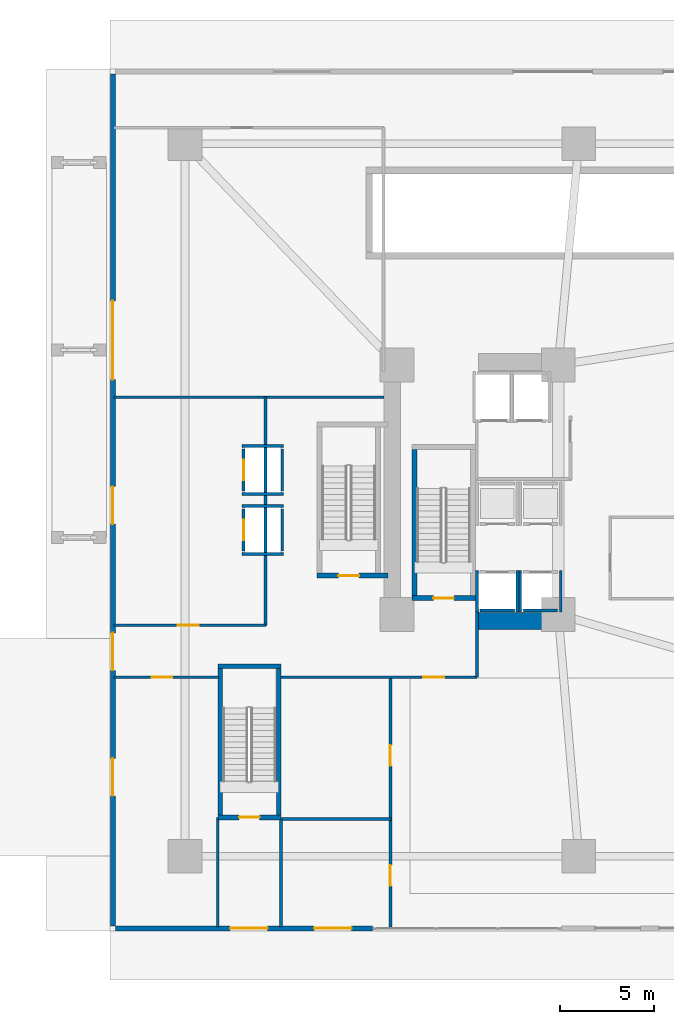
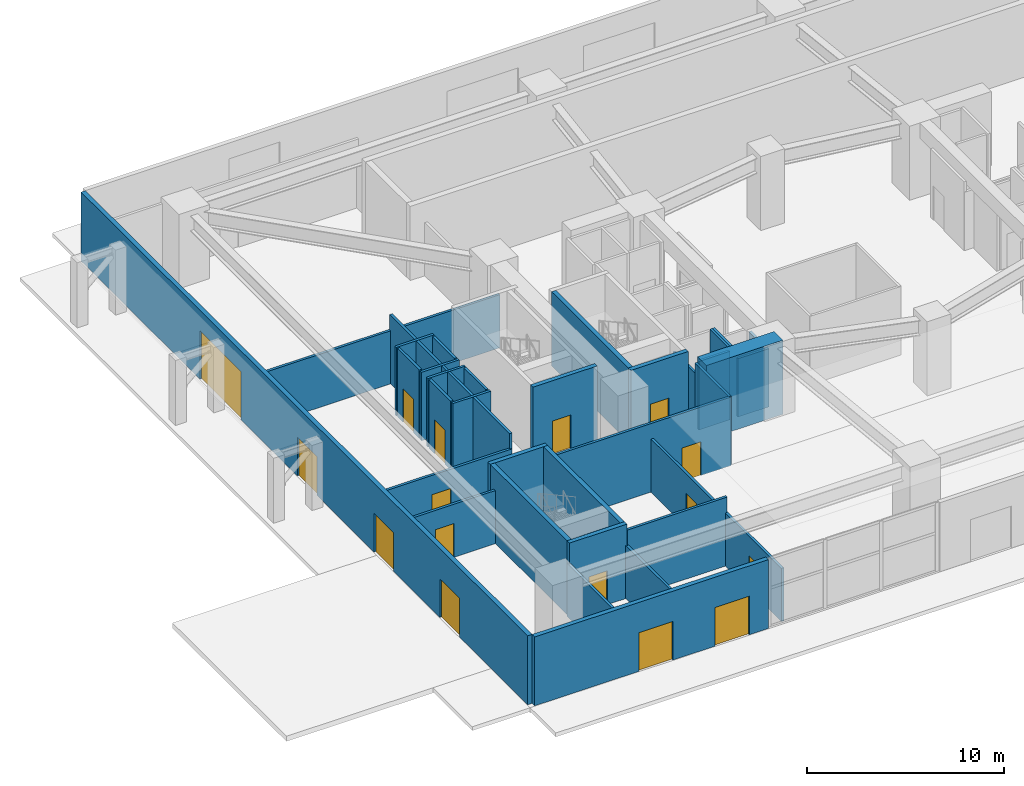
# One storey, part 9 of 18: 34 walls, 16 doors, 16 openings.
"""IFC4 building model written with IfcOpenShell, lengths in metres."""

from ifc_helpers import new_model, si_unit, direction, frame, frame_2d, origin, place, context, subcontext, project, spatial, rectangle, extrude, material, layer, layer_set, type_object, element, fill, save


model = new_model("IFC4")

# Units and contexts
model_context = context("Model", 3, precision=1e-05, world=origin(), true_north=direction((0.0, 1.0)))
body_context = subcontext(model_context, "Body", "Model", "MODEL_VIEW")
ifc_project = project(units=[si_unit("LENGTHUNIT", "METRE"), si_unit("AREAUNIT", "SQUARE_METRE"), si_unit("VOLUMEUNIT", "CUBIC_METRE"), si_unit("PLANEANGLEUNIT", "RADIAN"), si_unit("MASSUNIT", "GRAM", prefix="KILO")], contexts=[model_context])

# Site, building, storey
site_placement = place(None, origin())
site = spatial("IfcSite", under=ifc_project, at=site_placement, CompositionType="ELEMENT")
building_placement = place(site_placement, origin())
building = spatial("IfcBuilding", under=site, at=building_placement, Name="Solvane Sanctuary Tower", CompositionType="ELEMENT")
storey_placement = place(building_placement, origin())
storey = spatial("IfcBuildingStorey", under=building, at=storey_placement, Name="L01", CompositionType="ELEMENT", Elevation=0.0)

# Walls
ifc_material_1 = material(Name="Concrete C70/85", Category="concrete")
ifc_layer_1 = layer(ifc_material_1, 0.89990234375, Name="Concrete C70/85")
ifc_layer_set_1 = layer_set([ifc_layer_1], Name="Concrete C70/85")
wall_type_1 = type_object("IfcWallType", Name="Wall W-CORE-900", PredefinedType="SHEAR", material=ifc_layer_set_1)
wall_1_placement = place(storey_placement, frame((19.64990234375, 16.550048828125, 0.0), z_axis=(0.0, 0.0, 1.0), x_axis=(1.0, 0.0, 0.0)))
element("IfcWall", 1, at=wall_1_placement, inside=storey, type_object=wall_type_1, Name="L01 Core Shear Wall WC-S", PredefinedType="SHEAR", context=body_context, shape_type="SweptSolid", body=[
    extrude(rectangle(XDim=4.5, YDim=0.89990234375, at=frame_2d((2.25, 0.0))), origin(), (0.0, 0.0, 1.0), 4.60009765625),
])
ifc_material_2 = material(Name="Acoustic Gypsum Partition Board")
ifc_layer_2 = layer(ifc_material_2, 0.14990234375, Name="Acoustic Gypsum Partition Board")
ifc_layer_set_2 = layer_set([ifc_layer_2], Name="Acoustic Gypsum Partition Board")
wall_type_2 = type_object("IfcWallType", Name="Wall W-CORR-150", PredefinedType="PARTITIONING", material=ifc_layer_set_2)
wall_2_placement = place(storey_placement, frame((5.739990234375, 0.219970703125, 0.0), z_axis=(0.0, 0.0, 1.0), x_axis=(0.0, 1.0, 0.0)))
element("IfcWall", 2, at=wall_2_placement, inside=storey, type_object=wall_type_2, Name="L01 ST-4 Vestibule West Wall", PredefinedType="PARTITIONING", context=body_context, shape_type="SweptSolid", body=[
    extrude(rectangle(XDim=5.85009765625, YDim=0.14990234375, at=frame_2d((2.925048828125, 0.0))), origin(), (0.0, 0.0, 1.0), 3.300048828125),
])

# Wall, opening, door
wall_3_placement = place(storey_placement, frame((0.219970703125, 13.550048828125, 0.0), z_axis=(0.0, 0.0, 1.0), x_axis=(1.0, 0.0, 0.0)))
wall_3 = element("IfcWall", 3, at=wall_3_placement, inside=storey, type_object=wall_type_2, Name="L01 South-West Vestibule North Wall", PredefinedType="PARTITIONING", context=body_context, shape_type="SweptSolid", body=[
    extrude(rectangle(XDim=5.580078125, YDim=0.14990234375, at=frame_2d((2.7900390625, 0.0))), origin(), (0.0, 0.0, 1.0), 3.300048828125),
])
opening_1_placement = place(wall_3_placement, frame((2.0, 0.0, 0.0)))
opening_1 = element("IfcOpeningElement", 4, at=opening_1_placement, cuts=wall_3, Name="Opening D-L01-26", PredefinedType="OPENING", context=body_context, shape_type="SweptSolid", body=[
    extrude(rectangle(XDim=1.10009765625, YDim=2.10009765625, at=frame_2d((0.550048828125, 1.050048828125))), frame((0.0, 0.0849609375, 0.0), z_axis=(0.0, -1.0, 0.0), x_axis=(1.0, 0.0, 0.0)), (0.0, 0.0, 1.0), 0.169921875),
])
ifc_material_3 = material(Name="Architectural Stainless Steel 316", Category="steel")
door_type_1 = type_object("IfcDoorType", Name="Door D-FFL", OperationType="NOTDEFINED", PredefinedType="DOOR", material=ifc_material_3)
door_1_placement = place(opening_1_placement, origin())
door_1 = element("IfcDoor", 5, at=door_1_placement, inside=storey, type_object=door_type_1, Name="L01 Cloakroom Vestibule Fire Door", OperationType="SINGLE_SWING_LEFT", OverallHeight=2.10009765625, OverallWidth=1.10009765625, PredefinedType="DOOR", context=body_context, shape_type="SweptSolid", body=[
    extrude(rectangle(XDim=1.10009765625, YDim=2.10009765625, at=frame_2d((0.550048828125, 1.050048828125))), frame((0.0, 0.02490234375, 0.0), z_axis=(0.0, -1.0, 0.0), x_axis=(1.0, 0.0, 0.0)), (0.0, 0.0, 1.0), 0.050048828125),
])
fill(opening_1, door_1)

# Walls
wall_4_placement = place(storey_placement, frame((9.1201171875, 5.97998046875, 0.0), z_axis=(0.0, 0.0, 1.0), x_axis=(1.0, 0.0, 0.0)))
element("IfcWall", 6, at=wall_4_placement, inside=storey, type_object=wall_type_2, Name="L01 Fire Command North Wall", PredefinedType="PARTITIONING", context=body_context, shape_type="SweptSolid", body=[
    extrude(rectangle(XDim=5.85986328125, YDim=0.14990234375, at=frame_2d((2.929931640625, 0.0))), origin(), (0.0, 0.0, 1.0), 4.2548828125),
])
wall_5_placement = place(storey_placement, frame((9.1201171875, 0.219970703125, 0.0), z_axis=(0.0, 0.0, 1.0), x_axis=(0.0, 1.0, 0.0)))
element("IfcWall", 7, at=wall_5_placement, inside=storey, type_object=wall_type_2, Name="L01 ST-4 Vestibule East Wall", PredefinedType="PARTITIONING", context=body_context, shape_type="SweptSolid", body=[
    extrude(rectangle(XDim=5.739990234375, YDim=0.14990234375, at=frame_2d((2.8701171875, 0.0))), origin(), (0.0, 0.0, 1.0), 3.300048828125),
])

# Wall, openings, doors
wall_6_placement = place(storey_placement, frame((14.949951171875, 0.219970703125, 0.0), z_axis=(0.0, 0.0, 1.0), x_axis=(0.0, 1.0, 0.0)))
wall_6 = element("IfcWall", 8, at=wall_6_placement, inside=storey, type_object=wall_type_2, Name="L01 Arrival West Wall", PredefinedType="PARTITIONING", context=body_context, shape_type="SweptSolid", body=[
    extrude(rectangle(XDim=13.360107421875, YDim=0.14990234375, at=frame_2d((6.68017578125, 0.0))), origin(), (0.0, 0.0, 1.0), 3.300048828125),
])
opening_2_placement = place(wall_6_placement, frame((2.199951171875, 0.0, 0.0)))
opening_2 = element("IfcOpeningElement", 9, at=opening_2_placement, cuts=wall_6, Name="Opening D-L01-27", PredefinedType="OPENING", context=body_context, shape_type="SweptSolid", body=[
    extrude(rectangle(XDim=1.10009765625, YDim=2.10009765625, at=frame_2d((0.550048828125, 1.050048828125))), frame((0.0, 0.0849609375, 0.0), z_axis=(0.0, -1.0, 0.0), x_axis=(1.0, 0.0, 0.0)), (0.0, 0.0, 1.0), 0.169921875),
])
opening_3_placement = place(wall_6_placement, frame((8.60009765625, 0.0, 0.0)))
opening_3 = element("IfcOpeningElement", 10, at=opening_3_placement, cuts=wall_6, Name="Opening D-L01-28", PredefinedType="OPENING", context=body_context, shape_type="SweptSolid", body=[
    extrude(rectangle(XDim=1.10009765625, YDim=2.10009765625, at=frame_2d((0.550048828125, 1.050048828125))), frame((0.0, 0.0849609375, 0.0), z_axis=(0.0, -1.0, 0.0), x_axis=(1.0, 0.0, 0.0)), (0.0, 0.0, 1.0), 0.169921875),
])
door_2_placement = place(opening_2_placement, origin())
door_2 = element("IfcDoor", 11, at=door_2_placement, inside=storey, type_object=door_type_1, Name="L01 Fire Command Interior Door", OperationType="SINGLE_SWING_RIGHT", OverallHeight=2.10009765625, OverallWidth=1.10009765625, PredefinedType="DOOR", context=body_context, shape_type="SweptSolid", body=[
    extrude(rectangle(XDim=1.10009765625, YDim=2.10009765625, at=frame_2d((0.550048828125, 1.050048828125))), frame((0.0, 0.02490234375, 0.0), z_axis=(0.0, -1.0, 0.0), x_axis=(1.0, 0.0, 0.0)), (0.0, 0.0, 1.0), 0.050048828125),
])
fill(opening_2, door_2)
door_3_placement = place(opening_3_placement, origin())
door_3 = element("IfcDoor", 12, at=door_3_placement, inside=storey, type_object=door_type_1, Name="L01 Reception Office Door", OperationType="SINGLE_SWING_LEFT", OverallHeight=2.10009765625, OverallWidth=1.10009765625, PredefinedType="DOOR", context=body_context, shape_type="SweptSolid", body=[
    extrude(rectangle(XDim=1.10009765625, YDim=2.10009765625, at=frame_2d((0.550048828125, 1.050048828125))), frame((0.0, 0.02490234375, 0.0), z_axis=(0.0, -1.0, 0.0), x_axis=(1.0, 0.0, 0.0)), (0.0, 0.0, 1.0), 0.050048828125),
])
fill(opening_3, door_3)

# Wall, opening, door
wall_7_placement = place(storey_placement, frame((9.110107421875, 13.550048828125, 0.0), z_axis=(0.0, 0.0, 1.0), x_axis=(1.0, 0.0, 0.0)))
wall_7 = element("IfcWall", 13, at=wall_7_placement, inside=storey, type_object=wall_type_2, Name="L01 West Exit Passage South Wall", PredefinedType="PARTITIONING", context=body_context, shape_type="SweptSolid", body=[
    extrude(rectangle(XDim=10.4599609375, YDim=0.14990234375, at=frame_2d((5.22998046875, 0.0))), origin(), (0.0, 0.0, 1.0), 4.2548828125),
])
opening_4_placement = place(wall_7_placement, frame((7.60009765625, 0.0, 0.0)))
opening_4 = element("IfcOpeningElement", 14, at=opening_4_placement, cuts=wall_7, Name="Opening D-L01-29", PredefinedType="OPENING", context=body_context, shape_type="SweptSolid", body=[
    extrude(rectangle(XDim=1.10009765625, YDim=2.10009765625, at=frame_2d((0.550048828125, 1.050048828125))), frame((0.0, 0.0849609375, 0.0), z_axis=(0.0, -1.0, 0.0), x_axis=(1.0, 0.0, 0.0)), (0.0, 0.0, 1.0), 0.169921875),
])
door_4_placement = place(opening_4_placement, origin())
door_4 = element("IfcDoor", 15, at=door_4_placement, inside=storey, type_object=door_type_1, Name="L01 West Exit Passage Fire Door", OperationType="SINGLE_SWING_RIGHT", OverallHeight=2.10009765625, OverallWidth=1.10009765625, PredefinedType="DOOR", context=body_context, shape_type="SweptSolid", body=[
    extrude(rectangle(XDim=1.10009765625, YDim=2.10009765625, at=frame_2d((0.550048828125, 1.050048828125))), frame((0.0, 0.02490234375, 0.0), z_axis=(0.0, -1.0, 0.0), x_axis=(1.0, 0.0, 0.0)), (0.0, 0.0, 1.0), 0.050048828125),
])
fill(opening_4, door_4)

# Wall
wall_8_placement = place(storey_placement, frame((19.570068359375, 13.550048828125, 0.0), z_axis=(0.0, 0.0, 1.0), x_axis=(0.0, 1.0, 0.0)))
element("IfcWall", 16, at=wall_8_placement, inside=storey, type_object=wall_type_2, Name="L01 West Exit Passage East Wall", PredefinedType="PARTITIONING", context=body_context, shape_type="SweptSolid", body=[
    extrude(rectangle(XDim=3.469970703125, YDim=0.14990234375, at=frame_2d((1.73486328125, 0.0))), origin(), (0.0, 0.0, 1.0), 4.2548828125),
])

# Wall, opening, door
wall_9_placement = place(storey_placement, frame((0.219970703125, 16.320068359375, 0.0), z_axis=(0.0, 0.0, 1.0), x_axis=(1.0, 0.0, 0.0)))
wall_9 = element("IfcWall", 17, at=wall_9_placement, inside=storey, type_object=wall_type_2, Name="L01 Left-Luggage South Wall", PredefinedType="PARTITIONING", context=body_context, shape_type="SweptSolid", body=[
    extrude(rectangle(XDim=8.10009765625, YDim=0.14990234375, at=frame_2d((4.050048828125, 0.0))), origin(), (0.0, 0.0, 1.0), 3.300048828125),
])
opening_5_placement = place(wall_9_placement, frame((3.39990234375, 0.0, 0.0)))
opening_5 = element("IfcOpeningElement", 18, at=opening_5_placement, cuts=wall_9, Name="Opening D-L01-30", PredefinedType="OPENING", context=body_context, shape_type="SweptSolid", body=[
    extrude(rectangle(XDim=1.10009765625, YDim=2.10009765625, at=frame_2d((0.550048828125, 1.050048828125))), frame((0.0, 0.0849609375, 0.0), z_axis=(0.0, -1.0, 0.0), x_axis=(1.0, 0.0, 0.0)), (0.0, 0.0, 1.0), 0.169921875),
])
door_5_placement = place(opening_5_placement, origin())
door_5 = element("IfcDoor", 19, at=door_5_placement, inside=storey, type_object=door_type_1, Name="L01 Left-Luggage Cloister Door", OperationType="SINGLE_SWING_LEFT", OverallHeight=2.10009765625, OverallWidth=1.10009765625, PredefinedType="DOOR", context=body_context, shape_type="SweptSolid", body=[
    extrude(rectangle(XDim=1.10009765625, YDim=2.10009765625, at=frame_2d((0.550048828125, 1.050048828125))), frame((0.0, 0.02490234375, 0.0), z_axis=(0.0, -1.0, 0.0), x_axis=(1.0, 0.0, 0.0)), (0.0, 0.0, 1.0), 0.050048828125),
])
fill(opening_5, door_5)

# Walls
wall_10_placement = place(storey_placement, frame((0.219970703125, 28.47998046875, 0.0), z_axis=(0.0, 0.0, 1.0), x_axis=(1.0, 0.0, 0.0)))
element("IfcWall", 20, at=wall_10_placement, inside=storey, type_object=wall_type_2, Name="L01 Left-Luggage North Wall", PredefinedType="PARTITIONING", context=body_context, shape_type="SweptSolid", body=[
    extrude(rectangle(XDim=14.400146484375, YDim=0.14990234375, at=frame_2d((7.2001953125, 0.0))), origin(), (0.0, 0.0, 1.0), 3.300048828125),
])
wall_11_placement = place(storey_placement, frame((8.280029296875, 16.300048828125, 0.0), z_axis=(0.0, 0.0, 1.0), x_axis=(0.0, 1.0, 0.0)))
element("IfcWall", 21, at=wall_11_placement, inside=storey, type_object=wall_type_2, Name="L01 Left-Luggage East Wall", PredefinedType="PARTITIONING", context=body_context, shape_type="SweptSolid", body=[
    extrude(rectangle(XDim=12.199951171875, YDim=0.14990234375, at=frame_2d((6.10009765625, 0.0))), origin(), (0.0, 0.0, 1.0), 4.2548828125),
])

# Wall, openings, doors
ifc_material_4 = material(Name="Precast concrete C40/50", Category="concrete")
ifc_layer_3 = layer(ifc_material_4, 0.260009765625, Name="Precast concrete C40/50")
ifc_layer_set_3 = layer_set([ifc_layer_3], Name="Precast concrete C40/50")
wall_type_3 = type_object("IfcWallType", Name="Wall W-EXT-250", PredefinedType="STANDARD", material=ifc_layer_set_3)
wall_12_placement = place(storey_placement, frame((0.280029296875, 0.14990234375, 0.0), z_axis=(0.0, 0.0, 1.0), x_axis=(1.0, 0.0, 0.0)))
wall_12 = element("IfcWall", 22, at=wall_12_placement, inside=storey, type_object=wall_type_3, Name="L01 South Podium Facade Wall S1", PredefinedType="STANDARD", context=body_context, shape_type="SweptSolid", body=[
    extrude(rectangle(XDim=13.719970703125, YDim=0.260009765625, at=frame_2d((6.85986328125, 0.0))), origin(), (0.0, 0.0, 1.0), 4.280029296875),
])
opening_6_placement = place(wall_12_placement, frame((6.1201171875, 0.0, 0.0)))
opening_6 = element("IfcOpeningElement", 23, at=opening_6_placement, cuts=wall_12, Name="Opening D-L01-01", PredefinedType="OPENING", context=body_context, shape_type="SweptSolid", body=[
    extrude(rectangle(XDim=2.0, YDim=2.39990234375, at=frame_2d((1.0, 1.199951171875))), frame((0.0, 0.139892578125, 0.0), z_axis=(0.0, -1.0, 0.0), x_axis=(1.0, 0.0, 0.0)), (0.0, 0.0, 1.0), 0.280029296875),
])
opening_7_placement = place(wall_12_placement, frame((10.60009765625, 0.0, 0.0)))
opening_7 = element("IfcOpeningElement", 24, at=opening_7_placement, cuts=wall_12, Name="Opening D-L01-02", PredefinedType="OPENING", context=body_context, shape_type="SweptSolid", body=[
    extrude(rectangle(XDim=2.0, YDim=2.39990234375, at=frame_2d((1.0, 1.199951171875))), frame((0.0, 0.139892578125, 0.0), z_axis=(0.0, -1.0, 0.0), x_axis=(1.0, 0.0, 0.0)), (0.0, 0.0, 1.0), 0.280029296875),
])
ifc_material_5 = material(Name="Anodised Aluminium 6063-T6", Category="aluminium")
door_type_2 = type_object("IfcDoorType", Name="Door D-EXIT-2000", OperationType="NOTDEFINED", PredefinedType="DOOR", material=ifc_material_5)
door_6_placement = place(opening_6_placement, frame((2.0, 0.0, 0.0), z_axis=(0.0, 0.0, 1.0), x_axis=(-1.0, 0.0, 0.0)))
door_6 = element("IfcDoor", 25, at=door_6_placement, inside=storey, type_object=door_type_2, Name="L01 West Stair ST-4 Protected Discharge Exit Door", OperationType="SINGLE_SWING_LEFT", OverallHeight=2.39990234375, OverallWidth=2.0, PredefinedType="DOOR", context=body_context, shape_type="SweptSolid", body=[
    extrude(rectangle(XDim=2.0, YDim=2.39990234375, at=frame_2d((1.0, 1.199951171875))), frame((0.0, 0.02490234375, 0.0), z_axis=(0.0, -1.0, 0.0), x_axis=(1.0, 0.0, 0.0)), (0.0, 0.0, 1.0), 0.050048828125),
])
fill(opening_6, door_6)
door_7_placement = place(opening_7_placement, frame((2.0, 0.0, 0.0), z_axis=(0.0, 0.0, 1.0), x_axis=(-1.0, 0.0, 0.0)))
door_7 = element("IfcDoor", 26, at=door_7_placement, inside=storey, type_object=door_type_2, Name="L01 Fire Command Room Exterior Access Door", OperationType="SINGLE_SWING_RIGHT", OverallHeight=2.39990234375, OverallWidth=2.0, PredefinedType="DOOR", context=body_context, shape_type="SweptSolid", body=[
    extrude(rectangle(XDim=2.0, YDim=2.39990234375, at=frame_2d((1.0, 1.199951171875))), frame((0.0, 0.02490234375, 0.0), z_axis=(0.0, -1.0, 0.0), x_axis=(1.0, 0.0, 0.0)), (0.0, 0.0, 1.0), 0.050048828125),
])
fill(opening_7, door_7)

wall_13_placement = place(storey_placement, frame((0.14990234375, 45.719970703125, 0.0), z_axis=(0.0, 0.0, 1.0), x_axis=(0.0, -1.0, 0.0)))
wall_13 = element("IfcWall", 27, at=wall_13_placement, inside=storey, type_object=wall_type_3, Name="L01 West Podium Facade Wall", PredefinedType="STANDARD", context=body_context, shape_type="SweptSolid", body=[
    extrude(rectangle(XDim=45.43994140625, YDim=0.260009765625, at=frame_2d((22.719970703125, 0.0))), origin(), (0.0, 0.0, 1.0), 4.280029296875),
])
opening_8_placement = place(wall_13_placement, frame((29.800048828125, 0.0, 0.0)))
opening_8 = element("IfcOpeningElement", 28, at=opening_8_placement, cuts=wall_13, Name="Opening D-L01-15", PredefinedType="OPENING", context=body_context, shape_type="SweptSolid", body=[
    extrude(rectangle(XDim=2.0, YDim=2.39990234375, at=frame_2d((1.0, 1.199951171875))), frame((0.0, 0.139892578125, 0.0), z_axis=(0.0, -1.0, 0.0), x_axis=(1.0, 0.0, 0.0)), (0.0, 0.0, 1.0), 0.280029296875),
])
opening_9_placement = place(wall_13_placement, frame((22.0, 0.0, 0.0)))
opening_9 = element("IfcOpeningElement", 29, at=opening_9_placement, cuts=wall_13, Name="Opening D-L01-16", PredefinedType="OPENING", context=body_context, shape_type="SweptSolid", body=[
    extrude(rectangle(XDim=2.0, YDim=2.39990234375, at=frame_2d((1.0, 1.199951171875))), frame((0.0, 0.139892578125, 0.0), z_axis=(0.0, -1.0, 0.0), x_axis=(1.0, 0.0, 0.0)), (0.0, 0.0, 1.0), 0.280029296875),
])
opening_10_placement = place(wall_13_placement, frame((36.5, 0.0, 0.0)))
opening_10 = element("IfcOpeningElement", 30, at=opening_10_placement, cuts=wall_13, Name="Opening D-L01-17", PredefinedType="OPENING", context=body_context, shape_type="SweptSolid", body=[
    extrude(rectangle(XDim=2.0, YDim=2.39990234375, at=frame_2d((1.0, 1.199951171875))), frame((0.0, 0.139892578125, 0.0), z_axis=(0.0, -1.0, 0.0), x_axis=(1.0, 0.0, 0.0)), (0.0, 0.0, 1.0), 0.280029296875),
])
opening_11_placement = place(wall_13_placement, frame((12.10009765625, 0.0, 0.0)))
opening_11 = element("IfcOpeningElement", 31, at=opening_11_placement, cuts=wall_13, Name="Opening D-L01-18", PredefinedType="OPENING", context=body_context, shape_type="SweptSolid", body=[
    extrude(rectangle(XDim=4.199951171875, YDim=3.0, at=frame_2d((2.10009765625, 1.5))), frame((0.0, 0.139892578125, 0.0), z_axis=(0.0, -1.0, 0.0), x_axis=(1.0, 0.0, 0.0)), (0.0, 0.0, 1.0), 0.280029296875),
])
door_8_placement = place(opening_8_placement, frame((2.0, 0.0, 0.0), z_axis=(0.0, 0.0, 1.0), x_axis=(-1.0, 0.0, 0.0)))
door_8 = element("IfcDoor", 32, at=door_8_placement, inside=storey, type_object=door_type_2, Name="L01 West Street Exit Door 1", OperationType="SINGLE_SWING_LEFT", OverallHeight=2.39990234375, OverallWidth=2.0, PredefinedType="DOOR", context=body_context, shape_type="SweptSolid", body=[
    extrude(rectangle(XDim=2.0, YDim=2.39990234375, at=frame_2d((1.0, 1.199951171875))), frame((0.0, 0.02490234375, 0.0), z_axis=(0.0, -1.0, 0.0), x_axis=(1.0, 0.0, 0.0)), (0.0, 0.0, 1.0), 0.050048828125),
])
fill(opening_8, door_8)
door_9_placement = place(opening_9_placement, frame((2.0, 0.0, 0.0), z_axis=(0.0, 0.0, 1.0), x_axis=(-1.0, 0.0, 0.0)))
door_9 = element("IfcDoor", 33, at=door_9_placement, inside=storey, type_object=door_type_2, Name="L01 West Street Exit Door 2", OperationType="SINGLE_SWING_RIGHT", OverallHeight=2.39990234375, OverallWidth=2.0, PredefinedType="DOOR", context=body_context, shape_type="SweptSolid", body=[
    extrude(rectangle(XDim=2.0, YDim=2.39990234375, at=frame_2d((1.0, 1.199951171875))), frame((0.0, 0.02490234375, 0.0), z_axis=(0.0, -1.0, 0.0), x_axis=(1.0, 0.0, 0.0)), (0.0, 0.0, 1.0), 0.050048828125),
])
fill(opening_9, door_9)
door_10_placement = place(opening_10_placement, frame((2.0, 0.0, 0.0), z_axis=(0.0, 0.0, 1.0), x_axis=(-1.0, 0.0, 0.0)))
door_10 = element("IfcDoor", 34, at=door_10_placement, inside=storey, type_object=door_type_2, Name="L01 West Street Exit Door 3", OperationType="SINGLE_SWING_LEFT", OverallHeight=2.39990234375, OverallWidth=2.0, PredefinedType="DOOR", context=body_context, shape_type="SweptSolid", body=[
    extrude(rectangle(XDim=2.0, YDim=2.39990234375, at=frame_2d((1.0, 1.199951171875))), frame((0.0, 0.02490234375, 0.0), z_axis=(0.0, -1.0, 0.0), x_axis=(1.0, 0.0, 0.0)), (0.0, 0.0, 1.0), 0.050048828125),
])
fill(opening_10, door_10)
door_type_3 = type_object("IfcDoorType", Name="Door D-GATE-4200", OperationType="NOTDEFINED", PredefinedType="GATE", material=ifc_material_3)
door_11_placement = place(opening_11_placement, origin())
door_11 = element("IfcDoor", 35, at=door_11_placement, inside=storey, type_object=door_type_3, Name="L01 West Metro Concourse Portal Gate", OperationType="SLIDING_TO_LEFT", OverallHeight=3.0, OverallWidth=4.199951171875, PredefinedType="GATE", context=body_context, shape_type="SweptSolid", body=[
    extrude(rectangle(XDim=4.199951171875, YDim=3.0, at=frame_2d((2.10009765625, 1.5))), frame((0.0, 0.02490234375, 0.0), z_axis=(0.0, -1.0, 0.0), x_axis=(1.0, 0.0, 0.0)), (0.0, 0.0, 1.0), 0.050048828125),
])
fill(opening_11, door_11)

# Walls
ifc_material_6 = material(Name="Concrete C50/60", Category="concrete")
ifc_layer_4 = layer(ifc_material_6, 0.14990234375, Name="Concrete C50/60")
ifc_layer_set_4 = layer_set([ifc_layer_4], Name="Concrete C50/60")
wall_type_4 = type_object("IfcWallType", Name="Wall W-SHAFT-150", PredefinedType="SOLIDWALL", material=ifc_layer_set_4)
wall_14_placement = place(storey_placement, frame((19.739990234375, 17.10009765625, 0.0), z_axis=(0.0, 0.0, 1.0), x_axis=(1.0, 0.0, 0.0)))
element("IfcWall", 36, at=wall_14_placement, inside=storey, type_object=wall_type_4, Name="L01 PL-1 Lift Shaft Wall B", PredefinedType="SOLIDWALL", context=body_context, shape_type="SweptSolid", body=[
    extrude(rectangle(XDim=1.820068359375, YDim=0.14990234375, at=frame_2d((0.91015625, 0.0))), origin(), (0.0, 0.0, 1.0), 4.2548828125),
])
wall_15_placement = place(storey_placement, frame((19.570068359375, 17.02001953125, 0.0), z_axis=(0.0, 0.0, 1.0), x_axis=(0.0, 1.0, 0.0)))
element("IfcWall", 37, at=wall_15_placement, inside=storey, type_object=wall_type_4, Name="L01 PL-1 Lift Shaft Wall S1", PredefinedType="SOLIDWALL", context=body_context, shape_type="SweptSolid", body=[
    extrude(rectangle(XDim=2.219970703125, YDim=0.14990234375, at=frame_2d((1.10986328125, 0.0))), origin(), (0.0, 0.0, 1.0), 3.6201171875),
])
wall_16_placement = place(storey_placement, frame((21.72998046875, 17.02001953125, 0.0), z_axis=(0.0, 0.0, 1.0), x_axis=(0.0, 1.0, 0.0)))
element("IfcWall", 38, at=wall_16_placement, inside=storey, type_object=wall_type_4, Name="L01 PL-1 Lift Shaft Wall S2", PredefinedType="SOLIDWALL", context=body_context, shape_type="SweptSolid", body=[
    extrude(rectangle(XDim=2.219970703125, YDim=0.14990234375, at=frame_2d((1.10986328125, 0.0))), origin(), (0.0, 0.0, 1.0), 4.2548828125),
])
wall_17_placement = place(storey_placement, frame((22.0400390625, 17.10009765625, 0.0), z_axis=(0.0, 0.0, 1.0), x_axis=(1.0, 0.0, 0.0)))
element("IfcWall", 39, at=wall_17_placement, inside=storey, type_object=wall_type_4, Name="L01 PL-2 Lift Shaft Wall B", PredefinedType="SOLIDWALL", context=body_context, shape_type="SweptSolid", body=[
    extrude(rectangle(XDim=1.820068359375, YDim=0.14990234375, at=frame_2d((0.91015625, 0.0))), origin(), (0.0, 0.0, 1.0), 3.6201171875),
])
wall_18_placement = place(storey_placement, frame((21.8701171875, 17.02001953125, 0.0), z_axis=(0.0, 0.0, 1.0), x_axis=(0.0, 1.0, 0.0)))
element("IfcWall", 40, at=wall_18_placement, inside=storey, type_object=wall_type_4, Name="L01 PL-2 Lift Shaft Wall S1", PredefinedType="SOLIDWALL", context=body_context, shape_type="SweptSolid", body=[
    extrude(rectangle(XDim=2.219970703125, YDim=0.14990234375, at=frame_2d((1.10986328125, 0.0))), origin(), (0.0, 0.0, 1.0), 4.2548828125),
])
wall_19_placement = place(storey_placement, frame((24.030029296875, 17.02001953125, 0.0), z_axis=(0.0, 0.0, 1.0), x_axis=(0.0, 1.0, 0.0)))
element("IfcWall", 41, at=wall_19_placement, inside=storey, type_object=wall_type_4, Name="L01 PL-2 Lift Shaft Wall S2", PredefinedType="SOLIDWALL", context=body_context, shape_type="SweptSolid", body=[
    extrude(rectangle(XDim=2.219970703125, YDim=0.14990234375, at=frame_2d((1.10986328125, 0.0))), origin(), (0.0, 0.0, 1.0), 3.300048828125),
])

# Wall, opening, door
wall_20_placement = place(storey_placement, frame((7.1201171875, 20.2900390625, 0.0), z_axis=(0.0, 0.0, 1.0), x_axis=(0.0, 1.0, 0.0)))
wall_20 = element("IfcWall", 42, at=wall_20_placement, inside=storey, type_object=wall_type_4, Name="L01 ML-1 Lift Shaft Wall F", PredefinedType="SOLIDWALL", context=body_context, shape_type="SweptSolid", body=[
    extrude(rectangle(XDim=2.219970703125, YDim=0.14990234375, at=frame_2d((1.10986328125, 0.0))), origin(), (0.0, 0.0, 1.0), 4.2548828125),
])
opening_12_placement = place(wall_20_placement, frame((0.56005859375, 0.0, 0.0)))
opening_12 = element("IfcOpeningElement", 43, at=opening_12_placement, cuts=wall_20, Name="Opening LD-L01-12", PredefinedType="OPENING", context=body_context, shape_type="SweptSolid", body=[
    extrude(rectangle(XDim=1.10009765625, YDim=2.10009765625, at=frame_2d((0.550048828125, 1.050048828125))), frame((0.0, 0.0849609375, 0.0), z_axis=(0.0, -1.0, 0.0), x_axis=(1.0, 0.0, 0.0)), (0.0, 0.0, 1.0), 0.169921875),
])
door_type_4 = type_object("IfcDoorType", Name="Door LD-PASS-1100", OperationType="NOTDEFINED", PredefinedType="DOOR", material=ifc_material_3)
door_12_placement = place(opening_12_placement, origin())
door_12 = element("IfcDoor", 44, at=door_12_placement, inside=storey, type_object=door_type_4, Name="L01 ML-1 Lift Landing Door", OperationType="DOUBLE_DOOR_SLIDING", OverallHeight=2.10009765625, OverallWidth=1.10009765625, PredefinedType="DOOR", context=body_context, shape_type="SweptSolid", body=[
    extrude(rectangle(XDim=1.10009765625, YDim=2.10009765625, at=frame_2d((0.550048828125, 1.050048828125))), frame((0.0, 0.02490234375, 0.0), z_axis=(0.0, -1.0, 0.0), x_axis=(1.0, 0.0, 0.0)), (0.0, 0.0, 1.0), 0.050048828125),
])
fill(opening_12, door_12)

# Walls
for number, where, z_axis, x_axis, name in (
    (45, (9.179931640625, 20.2900390625, 0.0), (0.0, 0.0, 1.0), (0.0, 1.0, 0.0), "L01 ML-1 Lift Shaft Wall B"),
    (46, (7.0400390625, 20.1201171875, 0.0), (0.0, 0.0, 1.0), (1.0, 0.0, 0.0), "L01 ML-1 Lift Shaft Wall S1"),
    (47, (7.0400390625, 22.679931640625, 0.0), (0.0, 0.0, 1.0), (1.0, 0.0, 0.0), "L01 ML-1 Lift Shaft Wall S2"),
):
    element("IfcWall", number, at=place(storey_placement, frame(where, z_axis=z_axis, x_axis=x_axis)), inside=storey, type_object=wall_type_4, Name=name, PredefinedType="SOLIDWALL", context=body_context, shape_type="SweptSolid", body=[
        extrude(rectangle(XDim=2.219970703125, YDim=0.14990234375, at=frame_2d((1.10986328125, 0.0))), origin(), (0.0, 0.0, 1.0), 4.2548828125),
    ])

# Wall, opening, door
wall_21_placement = place(storey_placement, frame((7.1201171875, 23.489990234375, 0.0), z_axis=(0.0, 0.0, 1.0), x_axis=(0.0, 1.0, 0.0)))
wall_21 = element("IfcWall", 48, at=wall_21_placement, inside=storey, type_object=wall_type_4, Name="L01 ML-2 Lift Shaft Wall F", PredefinedType="SOLIDWALL", context=body_context, shape_type="SweptSolid", body=[
    extrude(rectangle(XDim=2.219970703125, YDim=0.14990234375, at=frame_2d((1.10986328125, 0.0))), origin(), (0.0, 0.0, 1.0), 4.2548828125),
])
opening_13_placement = place(wall_21_placement, frame((0.56005859375, 0.0, 0.0)))
opening_13 = element("IfcOpeningElement", 49, at=opening_13_placement, cuts=wall_21, Name="Opening LD-L01-13", PredefinedType="OPENING", context=body_context, shape_type="SweptSolid", body=[
    extrude(rectangle(XDim=1.10009765625, YDim=2.10009765625, at=frame_2d((0.550048828125, 1.050048828125))), frame((0.0, 0.0849609375, 0.0), z_axis=(0.0, -1.0, 0.0), x_axis=(1.0, 0.0, 0.0)), (0.0, 0.0, 1.0), 0.169921875),
])
door_13_placement = place(opening_13_placement, origin())
door_13 = element("IfcDoor", 50, at=door_13_placement, inside=storey, type_object=door_type_4, Name="L01 ML-2 Lift Landing Door", OperationType="DOUBLE_DOOR_SLIDING", OverallHeight=2.10009765625, OverallWidth=1.10009765625, PredefinedType="DOOR", context=body_context, shape_type="SweptSolid", body=[
    extrude(rectangle(XDim=1.10009765625, YDim=2.10009765625, at=frame_2d((0.550048828125, 1.050048828125))), frame((0.0, 0.02490234375, 0.0), z_axis=(0.0, -1.0, 0.0), x_axis=(1.0, 0.0, 0.0)), (0.0, 0.0, 1.0), 0.050048828125),
])
fill(opening_13, door_13)

# Walls
for number, where, z_axis, x_axis, name in (
    (51, (9.179931640625, 23.489990234375, 0.0), (0.0, 0.0, 1.0), (0.0, 1.0, 0.0), "L01 ML-2 Lift Shaft Wall B"),
    (52, (7.0400390625, 23.320068359375, 0.0), (0.0, 0.0, 1.0), (1.0, 0.0, 0.0), "L01 ML-2 Lift Shaft Wall S1"),
    (53, (7.0400390625, 25.8798828125, 0.0), (0.0, 0.0, 1.0), (1.0, 0.0, 0.0), "L01 ML-2 Lift Shaft Wall S2"),
):
    element("IfcWall", number, at=place(storey_placement, frame(where, z_axis=z_axis, x_axis=x_axis)), inside=storey, type_object=wall_type_4, Name=name, PredefinedType="SOLIDWALL", context=body_context, shape_type="SweptSolid", body=[
        extrude(rectangle(XDim=2.219970703125, YDim=0.14990234375, at=frame_2d((1.10986328125, 0.0))), origin(), (0.0, 0.0, 1.0), 4.2548828125),
    ])

# Wall, opening, door
ifc_layer_5 = layer(ifc_material_6, 0.25, Name="Concrete C50/60")
ifc_layer_set_5 = layer_set([ifc_layer_5], Name="Concrete C50/60")
wall_type_5 = type_object("IfcWallType", Name="Wall W-SHAFT-250", PredefinedType="SOLIDWALL", material=ifc_layer_set_5)
wall_22_placement = place(storey_placement, frame((16.10498046875, 17.77001953125, 0.0), z_axis=(0.0, 0.0, 1.0), x_axis=(1.0, 0.0, 0.0)))
wall_22 = element("IfcWall", 54, at=wall_22_placement, inside=storey, type_object=wall_type_5, Name="L01 ST-1 Load-Bearing Shaft Wall S", PredefinedType="SOLIDWALL", context=body_context, shape_type="SweptSolid", body=[
    extrude(rectangle(XDim=3.3701171875, YDim=0.25, at=frame_2d((1.68505859375, 0.0))), origin(), (0.0, 0.0, 1.0), 4.60009765625),
])
opening_14_placement = place(wall_22_placement, frame((1.135009765625, 0.0, 0.0)))
opening_14 = element("IfcOpeningElement", 55, at=opening_14_placement, cuts=wall_22, Name="Opening D-L01-19", PredefinedType="OPENING", context=body_context, shape_type="SweptSolid", body=[
    extrude(rectangle(XDim=1.10009765625, YDim=2.10009765625, at=frame_2d((0.550048828125, 1.050048828125))), frame((0.0, 0.135009765625, 0.0), z_axis=(0.0, -1.0, 0.0), x_axis=(1.0, 0.0, 0.0)), (0.0, 0.0, 1.0), 0.27001953125),
])
door_type_5 = type_object("IfcDoorType", Name="Door D-STAIR", OperationType="NOTDEFINED", PredefinedType="DOOR", material=ifc_material_3)
door_14_placement = place(opening_14_placement, origin())
door_14 = element("IfcDoor", 56, at=door_14_placement, inside=storey, type_object=door_type_5, Name="L01 ST-1 Exit Stair Fire Door", OperationType="SINGLE_SWING_LEFT", OverallHeight=2.10009765625, OverallWidth=1.10009765625, PredefinedType="DOOR", context=body_context, shape_type="SweptSolid", body=[
    extrude(rectangle(XDim=1.10009765625, YDim=2.10009765625, at=frame_2d((0.550048828125, 1.050048828125))), frame((0.0, 0.02490234375, 0.0), z_axis=(0.0, -1.0, 0.0), x_axis=(1.0, 0.0, 0.0)), (0.0, 0.0, 1.0), 0.050048828125),
])
fill(opening_14, door_14)

# Wall
wall_23_placement = place(storey_placement, frame((16.22998046875, 17.89501953125, 0.0), z_axis=(0.0, 0.0, 1.0), x_axis=(0.0, 1.0, 0.0)))
element("IfcWall", 57, at=wall_23_placement, inside=storey, type_object=wall_type_5, Name="L01 ST-1 Load-Bearing Shaft Wall W", PredefinedType="SOLIDWALL", context=body_context, shape_type="SweptSolid", body=[
    extrude(rectangle(XDim=7.81005859375, YDim=0.25, at=frame_2d((3.905029296875, 0.0))), origin(), (0.0, 0.0, 1.0), 4.60009765625),
])

# Wall, opening, door
wall_24_placement = place(storey_placement, frame((11.044921875, 18.969970703125, 0.0), z_axis=(0.0, 0.0, 1.0), x_axis=(1.0, 0.0, 0.0)))
wall_24 = element("IfcWall", 58, at=wall_24_placement, inside=storey, type_object=wall_type_5, Name="L01 ST-3 Load-Bearing Shaft Wall S", PredefinedType="SOLIDWALL", context=body_context, shape_type="SweptSolid", body=[
    extrude(rectangle(XDim=3.781982421875, YDim=0.25, at=frame_2d((1.89111328125, 0.0))), origin(), (0.0, 0.0, 1.0), 4.60009765625),
])
opening_15_placement = place(wall_24_placement, frame((1.135009765625, 0.0, 0.0)))
opening_15 = element("IfcOpeningElement", 59, at=opening_15_placement, cuts=wall_24, Name="Opening D-L01-21", PredefinedType="OPENING", context=body_context, shape_type="SweptSolid", body=[
    extrude(rectangle(XDim=1.10009765625, YDim=2.10009765625, at=frame_2d((0.550048828125, 1.050048828125))), frame((0.0, 0.135009765625, 0.0), z_axis=(0.0, -1.0, 0.0), x_axis=(1.0, 0.0, 0.0)), (0.0, 0.0, 1.0), 0.27001953125),
])
door_15_placement = place(opening_15_placement, origin())
door_15 = element("IfcDoor", 60, at=door_15_placement, inside=storey, type_object=door_type_5, Name="L01 ST-3 Exit Stair Fire Door", OperationType="SINGLE_SWING_LEFT", OverallHeight=2.10009765625, OverallWidth=1.10009765625, PredefinedType="DOOR", context=body_context, shape_type="SweptSolid", body=[
    extrude(rectangle(XDim=1.10009765625, YDim=2.10009765625, at=frame_2d((0.550048828125, 1.050048828125))), frame((0.0, 0.02490234375, 0.0), z_axis=(0.0, -1.0, 0.0), x_axis=(1.0, 0.0, 0.0)), (0.0, 0.0, 1.0), 0.050048828125),
])
fill(opening_15, door_15)

wall_25_placement = place(storey_placement, frame((5.7451171875, 6.070068359375, 0.0), z_axis=(0.0, 0.0, 1.0), x_axis=(1.0, 0.0, 0.0)))
wall_25 = element("IfcWall", 61, at=wall_25_placement, inside=storey, type_object=wall_type_5, Name="L01 ST-4 Load-Bearing Shaft Wall S", PredefinedType="SOLIDWALL", context=body_context, shape_type="SweptSolid", body=[
    extrude(rectangle(XDim=3.369873046875, YDim=0.25, at=frame_2d((1.68505859375, 0.0))), origin(), (0.0, 0.0, 1.0), 4.60009765625),
])
opening_16_placement = place(wall_25_placement, frame((1.135009765625, 0.0, 0.0)))
opening_16 = element("IfcOpeningElement", 62, at=opening_16_placement, cuts=wall_25, Name="Opening D-L01-22", PredefinedType="OPENING", context=body_context, shape_type="SweptSolid", body=[
    extrude(rectangle(XDim=1.10009765625, YDim=2.10009765625, at=frame_2d((0.550048828125, 1.050048828125))), frame((0.0, 0.135009765625, 0.0), z_axis=(0.0, -1.0, 0.0), x_axis=(1.0, 0.0, 0.0)), (0.0, 0.0, 1.0), 0.27001953125),
])
door_16_placement = place(opening_16_placement, origin())
door_16 = element("IfcDoor", 63, at=door_16_placement, inside=storey, type_object=door_type_5, Name="L01 ST-4 Exit Stair Fire Door", OperationType="SINGLE_SWING_RIGHT", OverallHeight=2.10009765625, OverallWidth=1.10009765625, PredefinedType="DOOR", context=body_context, shape_type="SweptSolid", body=[
    extrude(rectangle(XDim=1.10009765625, YDim=2.10009765625, at=frame_2d((0.550048828125, 1.050048828125))), frame((0.0, 0.02490234375, 0.0), z_axis=(0.0, -1.0, 0.0), x_axis=(1.0, 0.0, 0.0)), (0.0, 0.0, 1.0), 0.050048828125),
])
fill(opening_16, door_16)

# Walls
wall_26_placement = place(storey_placement, frame((5.7451171875, 14.1298828125, 0.0), z_axis=(0.0, 0.0, 1.0), x_axis=(1.0, 0.0, 0.0)))
element("IfcWall", 64, at=wall_26_placement, inside=storey, type_object=wall_type_5, Name="L01 ST-4 Load-Bearing Shaft Wall N", PredefinedType="SOLIDWALL", context=body_context, shape_type="SweptSolid", body=[
    extrude(rectangle(XDim=3.369873046875, YDim=0.25, at=frame_2d((1.68505859375, 0.0))), origin(), (0.0, 0.0, 1.0), 4.60009765625),
])
for number, where, z_axis, x_axis, name in (
    (65, (5.8701171875, 6.195068359375, 0.0), (0.0, 0.0, 1.0), (0.0, 1.0, 0.0), "L01 ST-4 Load-Bearing Shaft Wall W"),
    (66, (8.989990234375, 6.195068359375, 0.0), (0.0, 0.0, 1.0), (0.0, 1.0, 0.0), "L01 ST-4 Load-Bearing Shaft Wall E"),
):
    element("IfcWall", number, at=place(storey_placement, frame(where, z_axis=z_axis, x_axis=x_axis)), inside=storey, type_object=wall_type_5, Name=name, PredefinedType="SOLIDWALL", context=body_context, shape_type="SweptSolid", body=[
        extrude(rectangle(XDim=7.809814453125, YDim=0.25, at=frame_2d((3.90478515625, 0.0))), origin(), (0.0, 0.0, 1.0), 4.60009765625),
    ])

save(model, "model.ifc")
